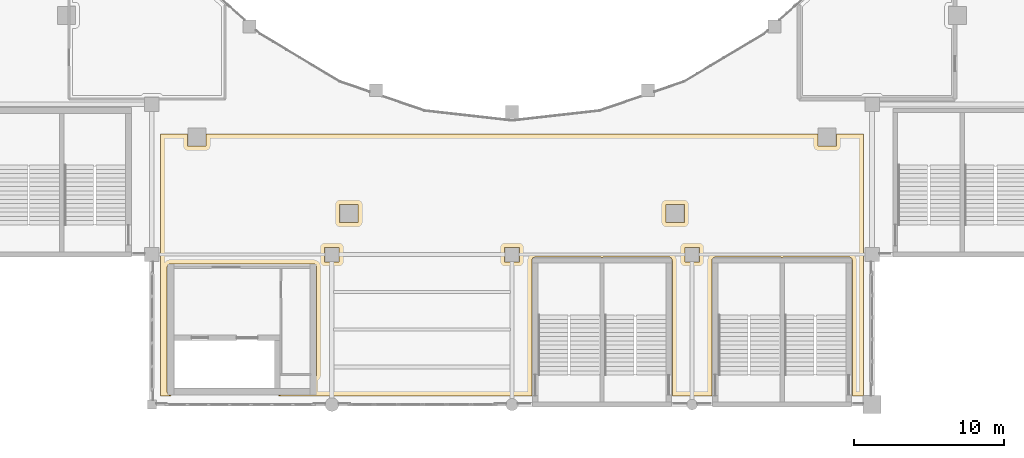
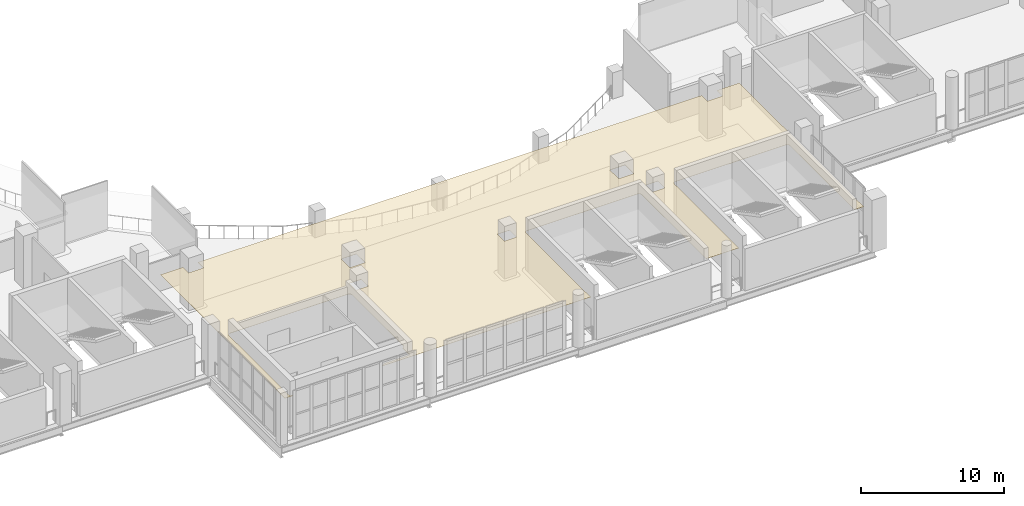
# One storey, part 79 of 90: 1 covering.
"""IFC4 building model written with IfcOpenShell, lengths in metres."""

from ifc_helpers import new_model, si_unit, direction, frame, origin, place, context, subcontext, project, spatial, polyline, outline, extrude, material, layer, layer_set, type_object, element, save


model = new_model("IFC4")

# Units and contexts
model_context = context("Model", 3, precision=1e-05, world=origin(), true_north=direction((0.0, 1.0)))
body_context = subcontext(model_context, "Body", "Model", "MODEL_VIEW")
ifc_project = project(units=[si_unit("LENGTHUNIT", "METRE"), si_unit("AREAUNIT", "SQUARE_METRE"), si_unit("VOLUMEUNIT", "CUBIC_METRE"), si_unit("PLANEANGLEUNIT", "RADIAN"), si_unit("MASSUNIT", "GRAM", prefix="KILO")], contexts=[model_context])

# Site, building, storey
site_placement = place(None, origin())
site = spatial("IfcSite", under=ifc_project, at=site_placement, CompositionType="ELEMENT")
building_placement = place(site_placement, origin())
building = spatial("IfcBuilding", under=site, at=building_placement, Name="Brinegate Civic Arena", CompositionType="ELEMENT")
storey_placement = place(building_placement, frame((0.0, 0.0, 14.699951171875)))
storey = spatial("IfcBuildingStorey", under=building, at=storey_placement, Name="L03", CompositionType="ELEMENT", Elevation=14.699951171875)

# Covering
ifc_material = material(Name="Acoustic perforated aluminium ceiling", Category="aluminium")
ifc_layer = layer(ifc_material, 0.01806640625, Name="Acoustic perforated aluminium ceiling")
ifc_layer_set = layer_set([ifc_layer], Name="Acoustic perforated aluminium ceiling")
covering_type = type_object("IfcCoveringType", Name="CEILING-MOISTURE-18", PredefinedType="CEILING", material=ifc_layer_set)
covering_placement = place(storey_placement, frame((0.0, 0.0, 3.241943359375)))
element("IfcCovering", 1, at=covering_placement, inside=storey, type_object=covering_type, Name="Acoustic Ceiling L03-001", PredefinedType="CEILING", context=body_context, shape_type="SweptSolid", body=[
    extrude(outline(polyline([(131.404052734375, 18.02001953125), (131.406005859375, 18.01904296875), (131.407958984375, 18.01806640625), (131.408935546875, 18.01806640625), (131.410888671875, 18.01708984375), (131.4130859375, 18.014892578125), (131.4140625, 18.013916015625), (131.4150390625, 18.012939453125), (131.4169921875, 18.010986328125), (131.41796875, 18.009033203125), (131.41796875, 18.008056640625), (131.4189453125, 18.006103515625), (131.419921875, 18.00390625), (131.419921875, 18.001953125), (131.419921875, 18.0), (131.419921875, 0.610107421875), (131.389892578125, 0.610107421875), (131.389892578125, 0.580078125), (130.699951171875, 0.580078125), (130.697998046875, 0.580078125), (130.696044921875, 0.580078125), (130.694091796875, 0.5810546875), (130.69189453125, 0.58203125), (130.69091796875, 0.58203125), (130.68896484375, 0.5830078125), (130.68701171875, 0.5849609375), (130.68603515625, 0.5859375), (130.68505859375, 0.5869140625), (130.68310546875, 0.589111328125), (130.681884765625, 0.591064453125), (130.681884765625, 0.592041015625), (130.680908203125, 0.593994140625), (130.679931640625, 0.595947265625), (130.679931640625, 0.597900390625), (130.679931640625, 0.60009765625), (130.679931640625, 9.59912109375), (130.675048828125, 9.64501953125), (130.662109375, 9.68798828125), (130.64111328125, 9.72802734375), (130.613037109375, 9.762939453125), (130.577880859375, 9.791015625), (130.5380859375, 9.81201171875), (130.4951171875, 9.824951171875), (130.448974609375, 9.830078125), (126.14599609375, 9.830078125), (126.09912109375, 9.824951171875), (126.077880859375, 9.820068359375), (126.035888671875, 9.802001953125), (126.010986328125, 9.785888671875), (126.009033203125, 9.784912109375), (126.007080078125, 9.783935546875), (126.0048828125, 9.783935546875), (126.0029296875, 9.782958984375), (126.0009765625, 9.782958984375), (125.9990234375, 9.782958984375), (125.9970703125, 9.782958984375), (125.9951171875, 9.783935546875), (125.992919921875, 9.783935546875), (125.990966796875, 9.784912109375), (125.989013671875, 9.785888671875), (125.964111328125, 9.802001953125), (125.922119140625, 9.820068359375), (125.90087890625, 9.824951171875), (125.85400390625, 9.830078125), (121.551025390625, 9.830078125), (121.5048828125, 9.824951171875), (121.4619140625, 9.81201171875), (121.422119140625, 9.791015625), (121.386962890625, 9.762939453125), (121.35888671875, 9.72802734375), (121.337890625, 9.68798828125), (121.324951171875, 9.64501953125), (121.320068359375, 9.59912109375), (121.320068359375, 0.60009765625), (121.320068359375, 0.597900390625), (121.320068359375, 0.595947265625), (121.319091796875, 0.593994140625), (121.318115234375, 0.592041015625), (121.318115234375, 0.591064453125), (121.31689453125, 0.589111328125), (121.31494140625, 0.5869140625), (121.31396484375, 0.5859375), (121.31298828125, 0.5849609375), (121.31103515625, 0.5830078125), (121.30908203125, 0.58203125), (121.30810546875, 0.58203125), (121.305908203125, 0.5810546875), (121.303955078125, 0.580078125), (121.302001953125, 0.580078125), (121.300048828125, 0.580078125), (118.699951171875, 0.580078125), (118.697998046875, 0.580078125), (118.696044921875, 0.580078125), (118.694091796875, 0.5810546875), (118.69189453125, 0.58203125), (118.69091796875, 0.58203125), (118.68896484375, 0.5830078125), (118.68701171875, 0.5849609375), (118.68603515625, 0.5859375), (118.68505859375, 0.5869140625), (118.68310546875, 0.589111328125), (118.681884765625, 0.591064453125), (118.681884765625, 0.592041015625), (118.680908203125, 0.593994140625), (118.679931640625, 0.595947265625), (118.679931640625, 0.597900390625), (118.679931640625, 0.60009765625), (118.679931640625, 9.59912109375), (118.675048828125, 9.64501953125), (118.662109375, 9.68798828125), (118.64111328125, 9.72802734375), (118.6279296875, 9.74609375), (118.595947265625, 9.777099609375), (118.55908203125, 9.802001953125), (118.51708984375, 9.820068359375), (118.49609375, 9.824951171875), (118.448974609375, 9.830078125), (114.14599609375, 9.830078125), (114.09912109375, 9.824951171875), (114.077880859375, 9.820068359375), (114.035888671875, 9.802001953125), (114.010986328125, 9.785888671875), (114.009033203125, 9.784912109375), (114.007080078125, 9.783935546875), (114.0048828125, 9.783935546875), (114.0029296875, 9.782958984375), (114.0009765625, 9.782958984375), (113.9990234375, 9.782958984375), (113.9970703125, 9.782958984375), (113.9951171875, 9.783935546875), (113.992919921875, 9.783935546875), (113.990966796875, 9.784912109375), (113.989013671875, 9.785888671875), (113.964111328125, 9.802001953125), (113.922119140625, 9.820068359375), (113.90087890625, 9.824951171875), (113.85400390625, 9.830078125), (109.551025390625, 9.830078125), (109.5048828125, 9.824951171875), (109.4619140625, 9.81201171875), (109.422119140625, 9.791015625), (109.386962890625, 9.762939453125), (109.35888671875, 9.72802734375), (109.337890625, 9.68798828125), (109.324951171875, 9.64501953125), (109.320068359375, 9.59912109375), (109.320068359375, 0.60009765625), (109.320068359375, 0.597900390625), (109.320068359375, 0.595947265625), (109.319091796875, 0.593994140625), (109.318115234375, 0.592041015625), (109.318115234375, 0.591064453125), (109.31689453125, 0.589111328125), (109.31494140625, 0.5869140625), (109.31396484375, 0.5859375), (109.31298828125, 0.5849609375), (109.31103515625, 0.5830078125), (109.30908203125, 0.58203125), (109.30810546875, 0.58203125), (109.305908203125, 0.5810546875), (109.303955078125, 0.580078125), (109.302001953125, 0.580078125), (109.300048828125, 0.580078125), (92.449951171875, 0.580078125), (92.447998046875, 0.580078125), (92.446044921875, 0.580078125), (92.444091796875, 0.5810546875), (92.44189453125, 0.58203125), (92.44091796875, 0.58203125), (92.43896484375, 0.5830078125), (92.43701171875, 0.5849609375), (92.43603515625, 0.5859375), (92.43505859375, 0.5869140625), (92.43310546875, 0.589111328125), (92.431884765625, 0.591064453125), (92.431884765625, 0.592041015625), (92.430908203125, 0.593994140625), (92.429931640625, 0.595947265625), (92.429931640625, 0.597900390625), (92.429931640625, 0.60009765625), (92.429931640625, 0.60205078125), (92.429931640625, 0.60400390625), (92.430908203125, 0.60595703125), (92.431884765625, 0.60791015625), (92.431884765625, 0.60888671875), (92.43310546875, 0.611083984375), (92.43505859375, 0.613037109375), (92.43603515625, 0.614013671875), (92.43701171875, 0.614990234375), (92.43896484375, 0.616943359375), (92.44091796875, 0.617919921875), (92.44189453125, 0.617919921875), (92.444091796875, 0.618896484375), (92.446044921875, 0.6201171875), (92.447998046875, 0.6201171875), (92.49609375, 0.625), (92.51708984375, 0.6298828125), (92.55908203125, 0.64794921875), (92.595947265625, 0.673095703125), (92.626953125, 0.7041015625), (92.653076171875, 0.741943359375), (92.662109375, 0.760986328125), (92.674072265625, 0.800048828125), (94.800048828125, 0.800048828125), (94.800048828125, 1.777099609375), (94.818115234375, 1.780029296875), (94.837890625, 1.787109375), (94.85791015625, 1.797119140625), (94.89599609375, 1.822998046875), (94.927978515625, 1.85400390625), (94.94091796875, 1.8720703125), (94.962890625, 1.912109375), (94.969970703125, 1.931884765625), (94.97900390625, 1.97705078125), (94.97998046875, 2.0), (94.97998046875, 9.14892578125), (94.97509765625, 9.195068359375), (94.9619140625, 9.238037109375), (94.94091796875, 9.278076171875), (94.927978515625, 9.2958984375), (94.89599609375, 9.326904296875), (94.85888671875, 9.35205078125), (94.81689453125, 9.3701171875), (94.7958984375, 9.375), (94.7490234375, 9.3798828125), (92.60107421875, 9.3798828125), (92.552001953125, 9.375), (92.550048828125, 9.375), (92.548095703125, 9.375), (92.4990234375, 9.3798828125), (85.2509765625, 9.3798828125), (85.2041015625, 9.375), (85.18310546875, 9.3701171875), (85.14111328125, 9.35205078125), (85.10400390625, 9.326904296875), (85.072021484375, 9.2958984375), (85.05908203125, 9.278076171875), (85.0380859375, 9.238037109375), (85.02490234375, 9.195068359375), (85.02001953125, 9.14892578125), (85.02001953125, 4.551025390625), (85.02490234375, 4.501953125), (85.02490234375, 4.5), (85.02490234375, 4.498046875), (85.02001953125, 4.448974609375), (85.02001953125, 0.85107421875), (85.02490234375, 0.804931640625), (85.0380859375, 0.761962890625), (85.05908203125, 0.721923828125), (85.0869140625, 0.68701171875), (85.1220703125, 0.658935546875), (85.162109375, 0.637939453125), (85.205078125, 0.625), (85.251953125, 0.6201171875), (85.25390625, 0.6201171875), (85.256103515625, 0.618896484375), (85.258056640625, 0.617919921875), (85.259033203125, 0.617919921875), (85.260986328125, 0.616943359375), (85.262939453125, 0.614990234375), (85.263916015625, 0.614013671875), (85.264892578125, 0.613037109375), (85.26708984375, 0.611083984375), (85.26806640625, 0.60888671875), (85.26806640625, 0.60791015625), (85.26904296875, 0.60595703125), (85.27001953125, 0.60400390625), (85.27001953125, 0.60205078125), (85.27001953125, 0.60009765625), (85.27001953125, 0.597900390625), (85.27001953125, 0.595947265625), (85.26904296875, 0.593994140625), (85.26806640625, 0.592041015625), (85.26806640625, 0.591064453125), (85.26708984375, 0.589111328125), (85.264892578125, 0.5869140625), (85.263916015625, 0.5859375), (85.262939453125, 0.5849609375), (85.260986328125, 0.5830078125), (85.259033203125, 0.58203125), (85.258056640625, 0.58203125), (85.256103515625, 0.5810546875), (85.25390625, 0.580078125), (85.251953125, 0.580078125), (85.25, 0.580078125), (84.60009765625, 0.580078125), (84.597900390625, 0.580078125), (84.595947265625, 0.580078125), (84.593994140625, 0.5810546875), (84.592041015625, 0.58203125), (84.591064453125, 0.58203125), (84.589111328125, 0.5830078125), (84.5869140625, 0.5849609375), (84.5859375, 0.5859375), (84.5849609375, 0.5869140625), (84.5830078125, 0.589111328125), (84.58203125, 0.591064453125), (84.58203125, 0.592041015625), (84.5810546875, 0.593994140625), (84.580078125, 0.595947265625), (84.580078125, 0.597900390625), (84.580078125, 0.60009765625), (84.580078125, 18.0), (84.580078125, 18.001953125), (84.580078125, 18.00390625), (84.5810546875, 18.006103515625), (84.58203125, 18.008056640625), (84.58203125, 18.009033203125), (84.5830078125, 18.010986328125), (84.5849609375, 18.012939453125), (84.5859375, 18.013916015625), (84.5869140625, 18.014892578125), (84.589111328125, 18.01708984375), (84.591064453125, 18.01806640625), (84.592041015625, 18.01806640625), (84.593994140625, 18.01904296875), (84.595947265625, 18.02001953125), (84.597900390625, 18.02001953125), (84.60009765625, 18.02001953125), (86.389892578125, 18.02001953125), (86.389892578125, 17.222900390625), (87.610107421875, 17.222900390625), (87.610107421875, 18.02001953125), (128.389892578125, 18.02001953125), (128.389892578125, 17.222900390625), (129.610107421875, 17.222900390625), (129.610107421875, 18.02001953125), (131.39990234375, 18.02001953125), (131.402099609375, 18.02001953125), (131.404052734375, 18.02001953125)]), holes=[polyline([(95.514892578125, 10.485107421875), (95.514892578125, 9.514892578125), (96.485107421875, 9.514892578125), (96.485107421875, 10.485107421875), (95.514892578125, 10.485107421875)]), polyline([(107.514892578125, 10.485107421875), (107.514892578125, 9.514892578125), (108.485107421875, 9.514892578125), (108.485107421875, 10.485107421875), (107.514892578125, 10.485107421875)]), polyline([(97.739990234375, 13.347900390625), (96.52001953125, 13.347900390625), (96.52001953125, 12.1279296875), (97.739990234375, 12.1279296875), (97.739990234375, 13.347900390625)]), polyline([(119.514892578125, 10.485107421875), (119.514892578125, 9.514892578125), (120.485107421875, 9.514892578125), (120.485107421875, 10.485107421875), (119.514892578125, 10.485107421875)]), polyline([(119.47998046875, 13.347900390625), (118.260009765625, 13.347900390625), (118.260009765625, 12.1279296875), (119.47998046875, 12.1279296875), (119.47998046875, 13.347900390625)])]), origin(), (0.0, 0.0, 1.0), 0.01806640625),
])

save(model, "model.ifc")
